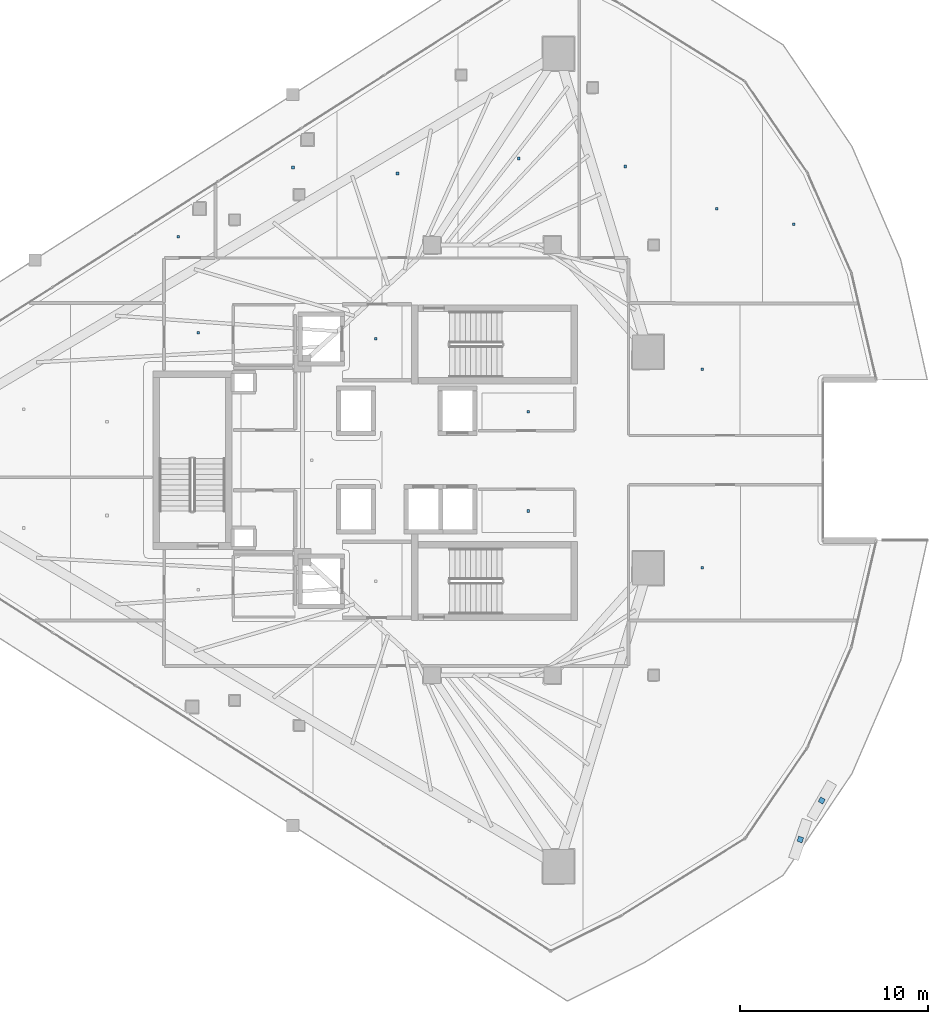
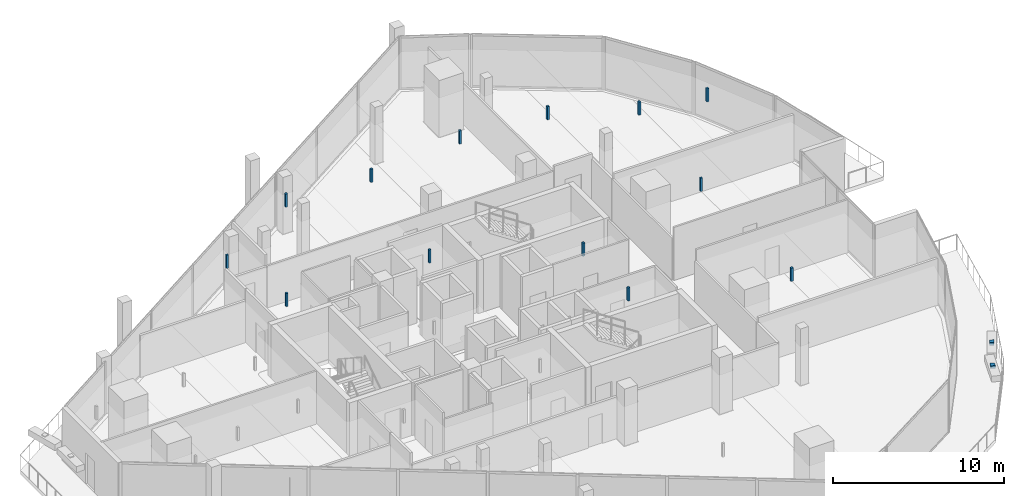
# One storey, part 24 of 30: 15 discrete accessories.
"""IFC4 building model written with IfcOpenShell, lengths in metres."""

from ifc_helpers import new_model, si_unit, direction, frame, origin, origin_2d, place, context, subcontext, project, spatial, rectangle, extrude, material, type_object, element, save


model = new_model("IFC4")

# Units and contexts
model_context = context("Model", 3, precision=1e-05, world=origin(), true_north=direction((0.0, 1.0)))
body_context = subcontext(model_context, "Body", "Model", "MODEL_VIEW")
ifc_project = project(units=[si_unit("LENGTHUNIT", "METRE"), si_unit("AREAUNIT", "SQUARE_METRE"), si_unit("VOLUMEUNIT", "CUBIC_METRE"), si_unit("PLANEANGLEUNIT", "RADIAN"), si_unit("MASSUNIT", "GRAM", prefix="KILO")], contexts=[model_context])

# Site, building, storey
site_placement = place(None, origin())
site = spatial("IfcSite", under=ifc_project, at=site_placement, CompositionType="ELEMENT")
building_placement = place(site_placement, origin())
building = spatial("IfcBuilding", under=site, at=building_placement, Name="Qorvath Tower", CompositionType="ELEMENT")
storey_placement = place(building_placement, frame((0.0, 0.0, 217.199951171875)))
storey = spatial("IfcBuildingStorey", under=building, at=storey_placement, Name="L50", CompositionType="ELEMENT", Elevation=217.199951171875)

# Discrete accessories
ifc_material = material(Name="Galvanised steel bracket", Category="steel")
discrete_accessory_type = type_object("IfcDiscreteAccessoryType", Name="DA-BRACKET", PredefinedType="BRACKET", material=ifc_material)
for number, where, z_axis, x_axis, name in (
    (1, (-4.001708984375, -20.194091796875, 3.64013671875), (0.0, 0.0, 1.0), (0.327686244904, 0.944786602837, 0.0), "Louvre Wave Support Bracket L50-03"),
    (2, (-2.8603515625, -18.11962890625, 3.64013671875), (0.0, 0.0, 1.0), (0.496419539336, 0.868082738548, 0.0), "Louvre Wave Support Bracket L50-04"),
):
    element("IfcDiscreteAccessory", number, at=place(storey_placement, frame(where, z_axis=z_axis, x_axis=x_axis)), inside=storey, type_object=discrete_accessory_type, Name=name, PredefinedType="NOTDEFINED", context=body_context, shape_type="SweptSolid", body=[
        extrude(rectangle(XDim=0.280029296875, YDim=0.280029296875, at=origin_2d()), origin(), (0.0, 0.0, 1.0), 0.199951171875),
    ])
for number, where, z_axis, x_axis, name in (
    (3, (-26.590087890625, 6.449951171875, 2.85986328125), (0.0, 0.0, 1.0), (1.0, 0.0, 0.0), "Acoustic Ceiling Suspension Hanger T1-L50-001"),
    (4, (-18.472412109375, 2.5625, 2.85986328125), (0.0, 0.0, 1.0), (1.0, 0.0, 0.0), "Acoustic Ceiling Suspension Hanger T1-L50-003"),
    (5, (-18.472412109375, -2.70751953125, 2.85986328125), (0.0, 0.0, 1.0), (1.0, 0.0, 0.0), "Acoustic Ceiling Suspension Hanger T1-L50-004"),
    (6, (-36.040283203125, 6.782470703125, 2.85986328125), (0.0, 0.0, 1.0), (1.0, 0.0, 0.0), "Acoustic Ceiling Suspension Hanger T1-L50-010"),
    (7, (-37.11376953125, 11.88818359375, 2.85986328125), (0.0, 0.0, 1.0), (1.0, 0.0, 0.0), "Acoustic Ceiling Suspension Hanger T1-L50-012"),
    (8, (-31.00341796875, 15.568603515625, 2.85986328125), (0.0, 0.0, 1.0), (1.0, 0.0, 0.0), "Acoustic Ceiling Suspension Hanger T1-L50-013"),
    (9, (-25.438232421875, 15.254638671875, 2.85986328125), (0.0, 0.0, 1.0), (1.0, 0.0, 0.0), "Acoustic Ceiling Suspension Hanger T1-L50-014"),
    (10, (-18.994873046875, 16.052734375, 2.85986328125), (0.0, 0.0, 1.0), (1.0, 0.0, 0.0), "Acoustic Ceiling Suspension Hanger T1-L50-015"),
    (11, (-13.322021484375, 15.625244140625, 2.85986328125), (0.0, 0.0, 1.0), (1.0, 0.0, 0.0), "Acoustic Ceiling Suspension Hanger T1-L50-016"),
    (12, (-8.454833984375, 13.3720703125, 2.85986328125), (0.0, 0.0, 1.0), (1.0, 0.0, 0.0), "Acoustic Ceiling Suspension Hanger T1-L50-017"),
    (13, (-4.3447265625, 12.547607421875, 2.85986328125), (0.0, 0.0, 1.0), (1.0, 0.0, 0.0), "Acoustic Ceiling Suspension Hanger T1-L50-018"),
    (14, (-9.2119140625, -5.736572265625, 2.85986328125), (0.0, 0.0, 1.0), (1.0, 0.0, 0.0), "Acoustic Ceiling Suspension Hanger T1-L50-022"),
    (15, (-9.214599609375, 4.836669921875, 2.85986328125), (0.0, 0.0, 1.0), (1.0, 0.0, 0.0), "Acoustic Ceiling Suspension Hanger T1-L50-024"),
):
    element("IfcDiscreteAccessory", number, at=place(storey_placement, frame(where, z_axis=z_axis, x_axis=x_axis)), inside=storey, type_object=discrete_accessory_type, Name=name, PredefinedType="NOTDEFINED", context=body_context, shape_type="SweptSolid", body=[
        extrude(rectangle(XDim=0.139892578125, YDim=0.139892578125, at=origin_2d()), origin(), (0.0, 0.0, 1.0), 0.949951171875),
    ])

save(model, "model.ifc")
